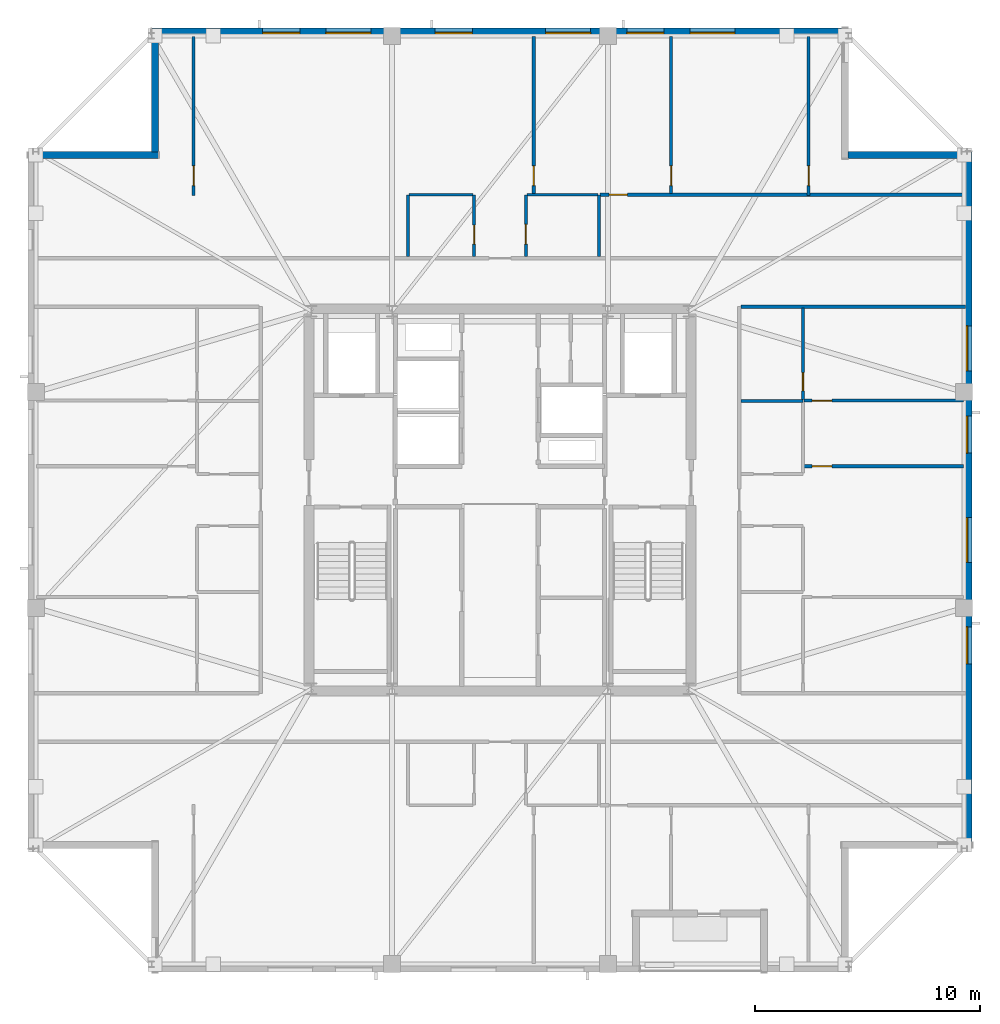
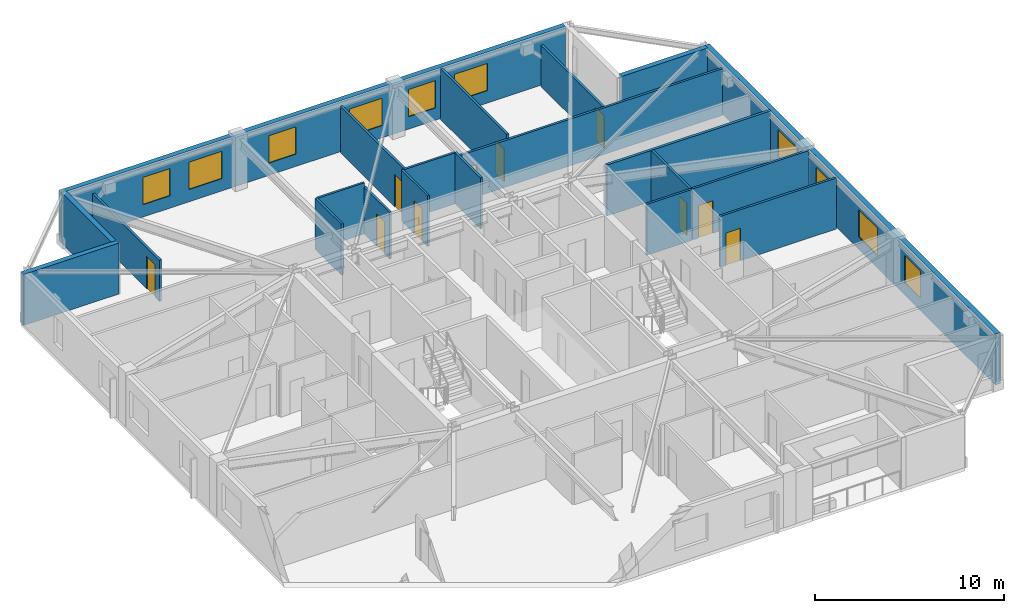
# One storey, part 10 of 15: 21 walls, 10 doors, 10 windows, 20 openings.
"""IFC4 building model written with IfcOpenShell, lengths in metres."""

from ifc_helpers import new_model, si_unit, direction, frame, frame_2d, origin, place, context, subcontext, project, spatial, rectangle, extrude, material, layer, layer_set, type_object, element, fill, save


model = new_model("IFC4")

# Units and contexts
model_context = context("Model", 3, precision=1e-05, world=origin(), true_north=direction((0.0, 1.0)))
body_context = subcontext(model_context, "Body", "Model", "MODEL_VIEW")
ifc_project = project(units=[si_unit("LENGTHUNIT", "METRE"), si_unit("AREAUNIT", "SQUARE_METRE"), si_unit("VOLUMEUNIT", "CUBIC_METRE"), si_unit("PLANEANGLEUNIT", "RADIAN"), si_unit("MASSUNIT", "GRAM", prefix="KILO")], contexts=[model_context])

# Site, building, storey
site_placement = place(None, origin())
site = spatial("IfcSite", under=ifc_project, at=site_placement, CompositionType="ELEMENT")
building_placement = place(site_placement, origin())
building = spatial("IfcBuilding", under=site, at=building_placement, Name="Cairnveth Concourse Tower", CompositionType="ELEMENT")
storey_placement = place(building_placement, frame((0.0, 0.0, 284.0)))
storey = spatial("IfcBuildingStorey", under=building, at=storey_placement, Name="L78", CompositionType="ELEMENT", Elevation=284.0)

# Wall
ifc_material_1 = material(Name="Gypsum Plasterboard Partition", Category="gypsum")
ifc_layer_1 = layer(ifc_material_1, 0.159912109375)
ifc_layer_set_1 = layer_set([ifc_layer_1], Name="Gypsum Plasterboard Partition")
wall_type_1 = type_object("IfcWallType", Name="ACOUSTIC PARTY WALL 180", PredefinedType="PARTITIONING", material=ifc_layer_set_1)
wall_1_placement = place(storey_placement, frame((62.715087890625, 47.60009765625, 0.0), z_axis=(0.0, 0.0, 1.0), x_axis=(1.0, 0.0, 0.0)))
element("IfcWall", 1, at=wall_1_placement, inside=storey, type_object=wall_type_1, Name="Interior Wall IW-L78-042", PredefinedType="PARTITIONING", context=body_context, shape_type="SweptSolid", body=[
    extrude(rectangle(XDim=10.0, YDim=0.159912109375, at=frame_2d((5.0, 0.0))), origin(), (0.0, 0.0, 1.0), 3.2900390625),
])

# Wall, opening, door
ifc_layer_2 = layer(ifc_material_1, 0.139892578125)
ifc_layer_set_2 = layer_set([ifc_layer_2], Name="Gypsum Plasterboard Partition")
wall_type_2 = type_object("IfcWallType", Name="GYPSUM STUD PARTITION 140", PredefinedType="PARTITIONING", material=ifc_layer_set_2)
wall_2_placement = place(storey_placement, frame((38.3701171875, 52.5400390625, 0.0), z_axis=(0.0, 0.0, 1.0), x_axis=(0.0, 1.0, 0.0)))
wall_2 = element("IfcWall", 2, at=wall_2_placement, inside=storey, type_object=wall_type_2, Name="Interior Wall IW-L78-060", PredefinedType="PARTITIONING", context=body_context, shape_type="SweptSolid", body=[
    extrude(rectangle(XDim=7.080078125, YDim=0.139892578125, at=frame_2d((3.5400390625, 0.0))), origin(), (0.0, 0.0, 1.0), 2.653076171875),
])
opening_1_placement = place(wall_2_placement, frame((0.449951171875, 0.0, 0.0)))
opening_1 = element("IfcOpeningElement", 3, at=opening_1_placement, cuts=wall_2, Name="Opening ID18", PredefinedType="OPENING", context=body_context, shape_type="SweptSolid", body=[
    extrude(rectangle(XDim=0.8798828125, YDim=2.10009765625, at=frame_2d((0.43994140625, 1.050048828125))), frame((0.0, 0.079833984375, 0.0), z_axis=(0.0, -1.0, 0.0), x_axis=(1.0, 0.0, 0.0)), (0.0, 0.0, 1.0), 0.159912109375),
])
ifc_material_2 = material(Name="Solid Core Hardwood Timber Leaf", Category="wood")
door_type_1 = type_object("IfcDoorType", Name="INTERIOR SINGLE DOOR 880X2100", OperationType="NOTDEFINED", PredefinedType="DOOR", material=ifc_material_2)
door_1_placement = place(opening_1_placement, origin())
door_1 = element("IfcDoor", 4, at=door_1_placement, inside=storey, type_object=door_type_1, Name="L78PN1 Master Bedroom Door", OperationType="SINGLE_SWING_LEFT", OverallHeight=2.10009765625, OverallWidth=0.8798828125, PredefinedType="DOOR", context=body_context, shape_type="SweptSolid", body=[
    extrude(rectangle(XDim=0.8798828125, YDim=2.10009765625, at=frame_2d((0.43994140625, 1.050048828125))), frame((0.0, 0.02490234375, 0.0), z_axis=(0.0, -1.0, 0.0), x_axis=(1.0, 0.0, 0.0)), (0.0, 0.0, 1.0), 0.050048828125),
])
fill(opening_1, door_1)

wall_3_placement = place(storey_placement, frame((65.72998046875, 52.5400390625, 0.0), z_axis=(0.0, 0.0, 1.0), x_axis=(0.0, 1.0, 0.0)))
wall_3 = element("IfcWall", 5, at=wall_3_placement, inside=storey, type_object=wall_type_2, Name="Interior Wall IW-L78-061", PredefinedType="PARTITIONING", context=body_context, shape_type="SweptSolid", body=[
    extrude(rectangle(XDim=7.080078125, YDim=0.139892578125, at=frame_2d((3.5400390625, 0.0))), origin(), (0.0, 0.0, 1.0), 2.653076171875),
])
opening_2_placement = place(wall_3_placement, frame((0.449951171875, 0.0, 0.0)))
opening_2 = element("IfcOpeningElement", 6, at=opening_2_placement, cuts=wall_3, Name="Opening ID18", PredefinedType="OPENING", context=body_context, shape_type="SweptSolid", body=[
    extrude(rectangle(XDim=0.8798828125, YDim=2.10009765625, at=frame_2d((0.43994140625, 1.050048828125))), frame((0.0, 0.079833984375, 0.0), z_axis=(0.0, -1.0, 0.0), x_axis=(1.0, 0.0, 0.0)), (0.0, 0.0, 1.0), 0.159912109375),
])
door_2_placement = place(opening_2_placement, origin())
door_2 = element("IfcDoor", 7, at=door_2_placement, inside=storey, type_object=door_type_1, Name="L78PN1 Bedroom 2 Door", OperationType="SINGLE_SWING_LEFT", OverallHeight=2.10009765625, OverallWidth=0.8798828125, PredefinedType="DOOR", context=body_context, shape_type="SweptSolid", body=[
    extrude(rectangle(XDim=0.8798828125, YDim=2.10009765625, at=frame_2d((0.43994140625, 1.050048828125))), frame((0.0, 0.02490234375, 0.0), z_axis=(0.0, -1.0, 0.0), x_axis=(1.0, 0.0, 0.0)), (0.0, 0.0, 1.0), 0.050048828125),
])
fill(opening_2, door_2)

wall_4_placement = place(storey_placement, frame((56.449951171875, 52.580078125, 0.0), z_axis=(0.0, 0.0, 1.0), x_axis=(1.0, 0.0, 0.0)))
wall_4 = element("IfcWall", 8, at=wall_4_placement, inside=storey, type_object=wall_type_2, Name="Interior Wall IW-L78-062", PredefinedType="PARTITIONING", context=body_context, shape_type="SweptSolid", body=[
    extrude(rectangle(XDim=16.179931640625, YDim=0.139892578125, at=frame_2d((8.08984375, 0.0))), origin(), (0.0, 0.0, 1.0), 3.009033203125),
])
opening_3_placement = place(wall_4_placement, frame((0.39990234375, 0.0, 0.0)))
opening_3 = element("IfcOpeningElement", 9, at=opening_3_placement, cuts=wall_4, Name="Opening ID22", PredefinedType="OPENING", context=body_context, shape_type="SweptSolid", body=[
    extrude(rectangle(XDim=0.820068359375, YDim=2.10009765625, at=frame_2d((0.41015625, 1.050048828125))), frame((0.0, 0.079833984375, 0.0), z_axis=(0.0, -1.0, 0.0), x_axis=(1.0, 0.0, 0.0)), (0.0, 0.0, 1.0), 0.159912109375),
])
door_type_2 = type_object("IfcDoorType", Name="INTERIOR WC DOOR 820X2100", OperationType="NOTDEFINED", PredefinedType="DOOR", material=ifc_material_2)
door_3_placement = place(opening_3_placement, origin())
door_3 = element("IfcDoor", 10, at=door_3_placement, inside=storey, type_object=door_type_2, Name="L78PN1 Utility Door", OperationType="SINGLE_SWING_RIGHT", OverallHeight=2.10009765625, OverallWidth=0.820068359375, PredefinedType="DOOR", context=body_context, shape_type="SweptSolid", body=[
    extrude(rectangle(XDim=0.820068359375, YDim=2.10009765625, at=frame_2d((0.41015625, 1.050048828125))), frame((0.0, 0.02490234375, 0.0), z_axis=(0.0, -1.0, 0.0), x_axis=(1.0, 0.0, 0.0)), (0.0, 0.0, 1.0), 0.050048828125),
])
fill(opening_3, door_3)

wall_5_placement = place(storey_placement, frame((53.5, 52.6298828125, 0.0), z_axis=(0.0, 0.0, 1.0), x_axis=(0.0, 1.0, 0.0)))
wall_5 = element("IfcWall", 11, at=wall_5_placement, inside=storey, type_object=wall_type_2, Name="Interior Wall IW-L78-063", PredefinedType="PARTITIONING", context=body_context, shape_type="SweptSolid", body=[
    extrude(rectangle(XDim=6.990234375, YDim=0.139892578125, at=frame_2d((3.4951171875, 0.0))), origin(), (0.0, 0.0, 1.0), 3.009033203125),
])
opening_4_placement = place(wall_5_placement, frame((0.360107421875, 0.0, 0.0)))
opening_4 = element("IfcOpeningElement", 12, at=opening_4_placement, cuts=wall_5, Name="Opening ID18", PredefinedType="OPENING", context=body_context, shape_type="SweptSolid", body=[
    extrude(rectangle(XDim=0.8798828125, YDim=2.10009765625, at=frame_2d((0.43994140625, 1.050048828125))), frame((0.0, 0.079833984375, 0.0), z_axis=(0.0, -1.0, 0.0), x_axis=(1.0, 0.0, 0.0)), (0.0, 0.0, 1.0), 0.159912109375),
])
door_4_placement = place(opening_4_placement, origin())
door_4 = element("IfcDoor", 13, at=door_4_placement, inside=storey, type_object=door_type_1, Name="L78PN1 Media Lounge Door", OperationType="SINGLE_SWING_RIGHT", OverallHeight=2.10009765625, OverallWidth=0.8798828125, PredefinedType="DOOR", context=body_context, shape_type="SweptSolid", body=[
    extrude(rectangle(XDim=0.8798828125, YDim=2.10009765625, at=frame_2d((0.43994140625, 1.050048828125))), frame((0.0, 0.02490234375, 0.0), z_axis=(0.0, -1.0, 0.0), x_axis=(1.0, 0.0, 0.0)), (0.0, 0.0, 1.0), 0.050048828125),
])
fill(opening_4, door_4)

wall_6_placement = place(storey_placement, frame((59.614990234375, 52.635009765625, 0.0), z_axis=(0.0, 0.0, 1.0), x_axis=(0.0, 1.0, 0.0)))
wall_6 = element("IfcWall", 14, at=wall_6_placement, inside=storey, type_object=wall_type_2, Name="Interior Wall IW-L78-064", PredefinedType="PARTITIONING", context=body_context, shape_type="SweptSolid", body=[
    extrude(rectangle(XDim=6.985107421875, YDim=0.139892578125, at=frame_2d((3.49267578125, 0.0))), origin(), (0.0, 0.0, 1.0), 3.2900390625),
])
opening_5_placement = place(wall_6_placement, frame((0.35498046875, 0.0, 0.0)))
opening_5 = element("IfcOpeningElement", 15, at=opening_5_placement, cuts=wall_6, Name="Opening ID18", PredefinedType="OPENING", context=body_context, shape_type="SweptSolid", body=[
    extrude(rectangle(XDim=0.8798828125, YDim=2.10009765625, at=frame_2d((0.43994140625, 1.050048828125))), frame((0.0, 0.079833984375, 0.0), z_axis=(0.0, -1.0, 0.0), x_axis=(1.0, 0.0, 0.0)), (0.0, 0.0, 1.0), 0.159912109375),
])
door_5_placement = place(opening_5_placement, origin())
door_5 = element("IfcDoor", 16, at=door_5_placement, inside=storey, type_object=door_type_1, Name="L78PN1 Library Salon Door", OperationType="SINGLE_SWING_LEFT", OverallHeight=2.10009765625, OverallWidth=0.8798828125, PredefinedType="DOOR", context=body_context, shape_type="SweptSolid", body=[
    extrude(rectangle(XDim=0.8798828125, YDim=2.10009765625, at=frame_2d((0.43994140625, 1.050048828125))), frame((0.0, 0.02490234375, 0.0), z_axis=(0.0, -1.0, 0.0), x_axis=(1.0, 0.0, 0.0)), (0.0, 0.0, 1.0), 0.050048828125),
])
fill(opening_5, door_5)

wall_7_placement = place(storey_placement, frame((65.530029296875, 43.419921875, 0.0), z_axis=(0.0, 0.0, 1.0), x_axis=(1.0, 0.0, 0.0)))
wall_7 = element("IfcWall", 17, at=wall_7_placement, inside=storey, type_object=wall_type_2, Name="Interior Wall IW-L78-084", PredefinedType="PARTITIONING", context=body_context, shape_type="SweptSolid", body=[
    extrude(rectangle(XDim=7.090087890625, YDim=0.139892578125, at=frame_2d((3.544921875, 0.0))), origin(), (0.0, 0.0, 1.0), 3.2900390625),
])
opening_6_placement = place(wall_7_placement, frame((0.360107421875, 0.0, 0.0)))
opening_6 = element("IfcOpeningElement", 18, at=opening_6_placement, cuts=wall_7, Name="Opening ID18", PredefinedType="OPENING", context=body_context, shape_type="SweptSolid", body=[
    extrude(rectangle(XDim=0.8798828125, YDim=2.10009765625, at=frame_2d((0.43994140625, 1.050048828125))), frame((0.0, 0.079833984375, 0.0), z_axis=(0.0, -1.0, 0.0), x_axis=(1.0, 0.0, 0.0)), (0.0, 0.0, 1.0), 0.159912109375),
])
door_6_placement = place(opening_6_placement, origin())
door_6 = element("IfcDoor", 19, at=door_6_placement, inside=storey, type_object=door_type_1, Name="L78PE1 Bedroom 2 Door", OperationType="SINGLE_SWING_RIGHT", OverallHeight=2.10009765625, OverallWidth=0.8798828125, PredefinedType="DOOR", context=body_context, shape_type="SweptSolid", body=[
    extrude(rectangle(XDim=0.8798828125, YDim=2.10009765625, at=frame_2d((0.43994140625, 1.050048828125))), frame((0.0, 0.02490234375, 0.0), z_axis=(0.0, -1.0, 0.0), x_axis=(1.0, 0.0, 0.0)), (0.0, 0.0, 1.0), 0.050048828125),
])
fill(opening_6, door_6)

wall_8_placement = place(storey_placement, frame((65.47998046875, 43.47509765625, 0.0), z_axis=(0.0, 0.0, 1.0), x_axis=(0.0, 1.0, 0.0)))
wall_8 = element("IfcWall", 20, at=wall_8_placement, inside=storey, type_object=wall_type_2, Name="Interior Wall IW-L78-085", PredefinedType="PARTITIONING", context=body_context, shape_type="SweptSolid", body=[
    extrude(rectangle(XDim=4.059814453125, YDim=0.139892578125, at=frame_2d((2.02978515625, 0.0))), origin(), (0.0, 0.0, 1.0), 3.2900390625),
])
opening_7_placement = place(wall_8_placement, frame((0.375, 0.0, 0.0)))
opening_7 = element("IfcOpeningElement", 21, at=opening_7_placement, cuts=wall_8, Name="Opening ID22", PredefinedType="OPENING", context=body_context, shape_type="SweptSolid", body=[
    extrude(rectangle(XDim=0.820068359375, YDim=2.10009765625, at=frame_2d((0.41015625, 1.050048828125))), frame((0.0, 0.079833984375, 0.0), z_axis=(0.0, -1.0, 0.0), x_axis=(1.0, 0.0, 0.0)), (0.0, 0.0, 1.0), 0.159912109375),
])
door_7_placement = place(opening_7_placement, origin())
door_7 = element("IfcDoor", 22, at=door_7_placement, inside=storey, type_object=door_type_2, Name="L78PE1 Utility Door", OperationType="SINGLE_SWING_LEFT", OverallHeight=2.10009765625, OverallWidth=0.820068359375, PredefinedType="DOOR", context=body_context, shape_type="SweptSolid", body=[
    extrude(rectangle(XDim=0.820068359375, YDim=2.10009765625, at=frame_2d((0.41015625, 1.050048828125))), frame((0.0, 0.02490234375, 0.0), z_axis=(0.0, -1.0, 0.0), x_axis=(1.0, 0.0, 0.0)), (0.0, 0.0, 1.0), 0.050048828125),
])
fill(opening_7, door_7)

wall_9_placement = place(storey_placement, frame((65.530029296875, 40.5, 0.0), z_axis=(0.0, 0.0, 1.0), x_axis=(1.0, 0.0, 0.0)))
wall_9 = element("IfcWall", 23, at=wall_9_placement, inside=storey, type_object=wall_type_2, Name="Interior Wall IW-L78-086", PredefinedType="PARTITIONING", context=body_context, shape_type="SweptSolid", body=[
    extrude(rectangle(XDim=7.090087890625, YDim=0.139892578125, at=frame_2d((3.544921875, 0.0))), origin(), (0.0, 0.0, 1.0), 3.2900390625),
])
opening_8_placement = place(wall_9_placement, frame((0.360107421875, 0.0, 0.0)))
opening_8 = element("IfcOpeningElement", 24, at=opening_8_placement, cuts=wall_9, Name="Opening ID18", PredefinedType="OPENING", context=body_context, shape_type="SweptSolid", body=[
    extrude(rectangle(XDim=0.8798828125, YDim=2.10009765625, at=frame_2d((0.43994140625, 1.050048828125))), frame((0.0, 0.079833984375, 0.0), z_axis=(0.0, -1.0, 0.0), x_axis=(1.0, 0.0, 0.0)), (0.0, 0.0, 1.0), 0.159912109375),
])
door_8_placement = place(opening_8_placement, origin())
door_8 = element("IfcDoor", 25, at=door_8_placement, inside=storey, type_object=door_type_1, Name="L78PE1 Media Lounge Door", OperationType="SINGLE_SWING_LEFT", OverallHeight=2.10009765625, OverallWidth=0.8798828125, PredefinedType="DOOR", context=body_context, shape_type="SweptSolid", body=[
    extrude(rectangle(XDim=0.8798828125, YDim=2.10009765625, at=frame_2d((0.43994140625, 1.050048828125))), frame((0.0, 0.02490234375, 0.0), z_axis=(0.0, -1.0, 0.0), x_axis=(1.0, 0.0, 0.0)), (0.0, 0.0, 1.0), 0.050048828125),
])
fill(opening_8, door_8)

# Wall
ifc_layer_3 = layer(ifc_material_1, 0.1298828125)
ifc_layer_set_3 = layer_set([ifc_layer_3], Name="Gypsum Plasterboard Partition")
wall_type_3 = type_object("IfcWallType", Name="WET AREA PARTITION 140", PredefinedType="PLUMBINGWALL", material=ifc_layer_set_3)
wall_10_placement = place(storey_placement, frame((47.89990234375, 49.830078125, 0.0), z_axis=(0.0, 0.0, 1.0), x_axis=(0.0, 1.0, 0.0)))
element("IfcWall", 26, at=wall_10_placement, inside=storey, type_object=wall_type_3, Name="Interior Wall IW-L78-054", PredefinedType="PLUMBINGWALL", context=body_context, shape_type="SweptSolid", body=[
    extrude(rectangle(XDim=2.75, YDim=0.1298828125, at=frame_2d((1.375, 0.0))), origin(), (0.0, 0.0, 1.0), 3.2900390625),
])

# Wall, opening, door
wall_11_placement = place(storey_placement, frame((50.85009765625, 49.830078125, 0.0), z_axis=(0.0, 0.0, 1.0), x_axis=(0.0, 1.0, 0.0)))
wall_11 = element("IfcWall", 27, at=wall_11_placement, inside=storey, type_object=wall_type_3, Name="Interior Wall IW-L78-055", PredefinedType="PLUMBINGWALL", context=body_context, shape_type="SweptSolid", body=[
    extrude(rectangle(XDim=2.75, YDim=0.1298828125, at=frame_2d((1.375, 0.0))), origin(), (0.0, 0.0, 1.0), 3.009033203125),
])
opening_9_placement = place(wall_11_placement, frame((0.550048828125, 0.0, 0.0)))
opening_9 = element("IfcOpeningElement", 28, at=opening_9_placement, cuts=wall_11, Name="Opening ID21", PredefinedType="OPENING", context=body_context, shape_type="SweptSolid", body=[
    extrude(rectangle(XDim=0.85009765625, YDim=2.080078125, at=frame_2d((0.425048828125, 1.0400390625))), frame((0.0, 0.074951171875, 0.0), z_axis=(0.0, -1.0, 0.0), x_axis=(1.0, 0.0, 0.0)), (0.0, 0.0, 1.0), 0.14990234375),
])
door_type_3 = type_object("IfcDoorType", Name="INTERIOR WC DOOR 850X2100", OperationType="NOTDEFINED", PredefinedType="DOOR", material=ifc_material_2)
door_9_placement = place(opening_9_placement, origin())
door_9 = element("IfcDoor", 29, at=door_9_placement, inside=storey, type_object=door_type_3, Name="L78PN1 Bathroom Door", OperationType="SINGLE_SWING_LEFT", OverallHeight=2.080078125, OverallWidth=0.85009765625, PredefinedType="DOOR", context=body_context, shape_type="SweptSolid", body=[
    extrude(rectangle(XDim=0.85009765625, YDim=2.080078125, at=frame_2d((0.425048828125, 1.0400390625))), frame((0.0, 0.02490234375, 0.0), z_axis=(0.0, -1.0, 0.0), x_axis=(1.0, 0.0, 0.0)), (0.0, 0.0, 1.0), 0.050048828125),
])
fill(opening_9, door_9)

# Walls
wall_12_placement = place(storey_placement, frame((47.949951171875, 52.580078125, 0.0), z_axis=(0.0, 0.0, 1.0), x_axis=(1.0, 0.0, 0.0)))
element("IfcWall", 30, at=wall_12_placement, inside=storey, type_object=wall_type_3, Name="Interior Wall IW-L78-056", PredefinedType="PLUMBINGWALL", context=body_context, shape_type="SweptSolid", body=[
    extrude(rectangle(XDim=2.85009765625, YDim=0.1298828125, at=frame_2d((1.425048828125, 0.0))), origin(), (0.0, 0.0, 1.0), 3.2900390625),
])
wall_13_placement = place(storey_placement, frame((56.39990234375, 49.830078125, 0.0), z_axis=(0.0, 0.0, 1.0), x_axis=(0.0, 1.0, 0.0)))
element("IfcWall", 31, at=wall_13_placement, inside=storey, type_object=wall_type_3, Name="Interior Wall IW-L78-057", PredefinedType="PLUMBINGWALL", context=body_context, shape_type="SweptSolid", body=[
    extrude(rectangle(XDim=2.75, YDim=0.1298828125, at=frame_2d((1.375, 0.0))), origin(), (0.0, 0.0, 1.0), 3.2900390625),
])

# Wall, opening, door
wall_14_placement = place(storey_placement, frame((53.14990234375, 49.830078125, 0.0), z_axis=(0.0, 0.0, 1.0), x_axis=(0.0, 1.0, 0.0)))
wall_14 = element("IfcWall", 32, at=wall_14_placement, inside=storey, type_object=wall_type_3, Name="Interior Wall IW-L78-058", PredefinedType="PLUMBINGWALL", context=body_context, shape_type="SweptSolid", body=[
    extrude(rectangle(XDim=2.75, YDim=0.1298828125, at=frame_2d((1.375, 0.0))), origin(), (0.0, 0.0, 1.0), 3.2900390625),
])
opening_10_placement = place(wall_14_placement, frame((0.550048828125, 0.0, 0.0)))
opening_10 = element("IfcOpeningElement", 33, at=opening_10_placement, cuts=wall_14, Name="Opening ID18", PredefinedType="OPENING", context=body_context, shape_type="SweptSolid", body=[
    extrude(rectangle(XDim=0.8798828125, YDim=2.10009765625, at=frame_2d((0.43994140625, 1.050048828125))), frame((0.0, 0.074951171875, 0.0), z_axis=(0.0, -1.0, 0.0), x_axis=(1.0, 0.0, 0.0)), (0.0, 0.0, 1.0), 0.14990234375),
])
door_10_placement = place(opening_10_placement, origin())
door_10 = element("IfcDoor", 34, at=door_10_placement, inside=storey, type_object=door_type_1, Name="L78PN1 Kitchen Door", OperationType="SINGLE_SWING_RIGHT", OverallHeight=2.10009765625, OverallWidth=0.8798828125, PredefinedType="DOOR", context=body_context, shape_type="SweptSolid", body=[
    extrude(rectangle(XDim=0.8798828125, YDim=2.10009765625, at=frame_2d((0.43994140625, 1.050048828125))), frame((0.0, 0.02490234375, 0.0), z_axis=(0.0, -1.0, 0.0), x_axis=(1.0, 0.0, 0.0)), (0.0, 0.0, 1.0), 0.050048828125),
])
fill(opening_10, door_10)

# Walls
wall_15_placement = place(storey_placement, frame((53.199951171875, 52.580078125, 0.0), z_axis=(0.0, 0.0, 1.0), x_axis=(1.0, 0.0, 0.0)))
element("IfcWall", 35, at=wall_15_placement, inside=storey, type_object=wall_type_3, Name="Interior Wall IW-L78-059", PredefinedType="PLUMBINGWALL", context=body_context, shape_type="SweptSolid", body=[
    extrude(rectangle(XDim=3.150146484375, YDim=0.1298828125, at=frame_2d((1.5751953125, 0.0))), origin(), (0.0, 0.0, 1.0), 3.2900390625),
])
wall_16_placement = place(storey_placement, frame((62.72998046875, 43.39990234375, 0.0), z_axis=(0.0, 0.0, 1.0), x_axis=(1.0, 0.0, 0.0)))
element("IfcWall", 36, at=wall_16_placement, inside=storey, type_object=wall_type_3, Name="Interior Wall IW-L78-079", PredefinedType="PLUMBINGWALL", context=body_context, shape_type="SweptSolid", body=[
    extrude(rectangle(XDim=2.75, YDim=0.1298828125, at=frame_2d((1.375, 0.0))), origin(), (0.0, 0.0, 1.0), 3.2900390625),
])
ifc_material_3 = material(Name="Hawthorn Red-Ochre Fired Clay Brick Masonry", Category="masonry")
ifc_layer_4 = layer(ifc_material_3, 0.300048828125)
ifc_layer_set_4 = layer_set([ifc_layer_4], Name="Hawthorn Red-Ochre Fired Clay Brick Masonry")
wall_type_4 = type_object("IfcWallType", Name="ZONE 4 BRICK PIER SPANDREL WALL 300", PredefinedType="SOLIDWALL", material=ifc_layer_set_4)
wall_17_placement = place(storey_placement, frame((31.0, 54.35009765625, 0.0), z_axis=(0.0, 0.0, 1.0), x_axis=(1.0, 0.0, 0.0)))
element("IfcWall", 37, at=wall_17_placement, inside=storey, type_object=wall_type_4, Name="Exterior Wall EW-L78-S04", PredefinedType="SOLIDWALL", context=body_context, shape_type="SweptSolid", body=[
    extrude(rectangle(XDim=5.800048828125, YDim=0.300048828125, at=frame_2d((2.89990234375, 0.0))), origin(), (0.0, 0.0, 1.0), 3.2900390625),
])
wall_18_placement = place(storey_placement, frame((36.64990234375, 54.47802734375, 0.0), z_axis=(0.0, 0.0, 1.0), x_axis=(0.0, 1.0, 0.0)))
element("IfcWall", 38, at=wall_18_placement, inside=storey, type_object=wall_type_4, Name="Exterior Wall EW-L78-S05", PredefinedType="SOLIDWALL", context=body_context, shape_type="SweptSolid", body=[
    extrude(rectangle(XDim=5.243896484375, YDim=0.300048828125, at=frame_2d((2.6220703125, 0.0))), origin(), (0.0, 0.0, 1.0), 3.2900390625),
])

# Wall, openings, windows
wall_19_placement = place(storey_placement, frame((36.5, 59.85009765625, 0.0), z_axis=(0.0, 0.0, 1.0), x_axis=(1.0, 0.0, 0.0)))
wall_19 = element("IfcWall", 39, at=wall_19_placement, inside=storey, type_object=wall_type_4, Name="Exterior Wall EW-L78-S06", PredefinedType="SOLIDWALL", context=body_context, shape_type="SweptSolid", body=[
    extrude(rectangle(XDim=30.721923828125, YDim=0.300048828125, at=frame_2d((15.36083984375, 0.0))), origin(), (0.0, 0.0, 1.0), 3.2900390625),
])
opening_11_placement = place(wall_19_placement, frame((4.943603515625, 0.0, 0.800048828125)))
opening_11 = element("IfcOpeningElement", 40, at=opening_11_placement, cuts=wall_19, Name="Opening W04", PredefinedType="OPENING", context=body_context, shape_type="SweptSolid", body=[
    extrude(rectangle(XDim=1.64990234375, YDim=1.758056640625, at=frame_2d((0.824951171875, 0.87890625))), frame((0.0, 0.159912109375, 0.0), z_axis=(0.0, -1.0, 0.0), x_axis=(1.0, 0.0, 0.0)), (0.0, 0.0, 1.0), 0.320068359375),
])
opening_12_placement = place(wall_19_placement, frame((7.755615234375, 0.0, 0.800048828125)))
opening_12 = element("IfcOpeningElement", 41, at=opening_12_placement, cuts=wall_19, Name="Opening W09", PredefinedType="OPENING", context=body_context, shape_type="SweptSolid", body=[
    extrude(rectangle(XDim=2.0, YDim=1.758056640625, at=frame_2d((1.0, 0.87890625))), frame((0.0, 0.159912109375, 0.0), z_axis=(0.0, -1.0, 0.0), x_axis=(1.0, 0.0, 0.0)), (0.0, 0.0, 1.0), 0.320068359375),
])
opening_13_placement = place(wall_19_placement, frame((12.617431640625, 0.0, 0.800048828125)))
opening_13 = element("IfcOpeningElement", 42, at=opening_13_placement, cuts=wall_19, Name="Opening W04", PredefinedType="OPENING", context=body_context, shape_type="SweptSolid", body=[
    extrude(rectangle(XDim=1.64990234375, YDim=1.758056640625, at=frame_2d((0.824951171875, 0.87890625))), frame((0.0, 0.159912109375, 0.0), z_axis=(0.0, -1.0, 0.0), x_axis=(1.0, 0.0, 0.0)), (0.0, 0.0, 1.0), 0.320068359375),
])
opening_14_placement = place(wall_19_placement, frame((17.529541015625, 0.0, 0.800048828125)))
opening_14 = element("IfcOpeningElement", 43, at=opening_14_placement, cuts=wall_19, Name="Opening W09", PredefinedType="OPENING", context=body_context, shape_type="SweptSolid", body=[
    extrude(rectangle(XDim=2.0, YDim=1.758056640625, at=frame_2d((1.0, 0.87890625))), frame((0.0, 0.159912109375, 0.0), z_axis=(0.0, -1.0, 0.0), x_axis=(1.0, 0.0, 0.0)), (0.0, 0.0, 1.0), 0.320068359375),
])
opening_15_placement = place(wall_19_placement, frame((21.1416015625, 0.0, 0.800048828125)))
opening_15 = element("IfcOpeningElement", 44, at=opening_15_placement, cuts=wall_19, Name="Opening W04", PredefinedType="OPENING", context=body_context, shape_type="SweptSolid", body=[
    extrude(rectangle(XDim=1.64990234375, YDim=1.758056640625, at=frame_2d((0.824951171875, 0.87890625))), frame((0.0, 0.159912109375, 0.0), z_axis=(0.0, -1.0, 0.0), x_axis=(1.0, 0.0, 0.0)), (0.0, 0.0, 1.0), 0.320068359375),
])
opening_16_placement = place(wall_19_placement, frame((23.95361328125, 0.0, 0.800048828125)))
opening_16 = element("IfcOpeningElement", 45, at=opening_16_placement, cuts=wall_19, Name="Opening W09", PredefinedType="OPENING", context=body_context, shape_type="SweptSolid", body=[
    extrude(rectangle(XDim=2.0, YDim=1.758056640625, at=frame_2d((1.0, 0.87890625))), frame((0.0, 0.159912109375, 0.0), z_axis=(0.0, -1.0, 0.0), x_axis=(1.0, 0.0, 0.0)), (0.0, 0.0, 1.0), 0.320068359375),
])
ifc_material_4 = material(Name="Double Glazed Low-E Clear Glass", Category="glass")
window_type_1 = type_object("IfcWindowType", Name="DEEP-SET GOTHIC LANCET WINDOW 1650X1850", PartitioningType="DOUBLE_PANEL_VERTICAL", PredefinedType="WINDOW", material=ifc_material_4)
window_1_placement = place(opening_11_placement, origin())
window_1 = element("IfcWindow", 46, at=window_1_placement, inside=storey, type_object=window_type_1, Name="Gothic Lancet Window L78-6-1", OverallHeight=1.758056640625, OverallWidth=1.64990234375, PartitioningType="SINGLE_PANEL", PredefinedType="WINDOW", context=body_context, shape_type="SweptSolid", body=[
    extrude(rectangle(XDim=1.64990234375, YDim=1.758056640625, at=frame_2d((0.824951171875, 0.87890625))), frame((0.0, -0.050048828125, 0.0), z_axis=(0.0, -1.0, 0.0), x_axis=(1.0, 0.0, 0.0)), (0.0, 0.0, 1.0), 0.06005859375),
])
fill(opening_11, window_1)
window_2_placement = place(opening_13_placement, origin())
window_2 = element("IfcWindow", 47, at=window_2_placement, inside=storey, type_object=window_type_1, Name="Gothic Lancet Window L78-6-3", OverallHeight=1.758056640625, OverallWidth=1.64990234375, PartitioningType="SINGLE_PANEL", PredefinedType="WINDOW", context=body_context, shape_type="SweptSolid", body=[
    extrude(rectangle(XDim=1.64990234375, YDim=1.758056640625, at=frame_2d((0.824951171875, 0.87890625))), frame((0.0, -0.050048828125, 0.0), z_axis=(0.0, -1.0, 0.0), x_axis=(1.0, 0.0, 0.0)), (0.0, 0.0, 1.0), 0.06005859375),
])
fill(opening_13, window_2)
window_3_placement = place(opening_15_placement, origin())
window_3 = element("IfcWindow", 48, at=window_3_placement, inside=storey, type_object=window_type_1, Name="Gothic Lancet Window L78-6-5", OverallHeight=1.758056640625, OverallWidth=1.64990234375, PartitioningType="SINGLE_PANEL", PredefinedType="WINDOW", context=body_context, shape_type="SweptSolid", body=[
    extrude(rectangle(XDim=1.64990234375, YDim=1.758056640625, at=frame_2d((0.824951171875, 0.87890625))), frame((0.0, -0.050048828125, 0.0), z_axis=(0.0, -1.0, 0.0), x_axis=(1.0, 0.0, 0.0)), (0.0, 0.0, 1.0), 0.06005859375),
])
fill(opening_15, window_3)
window_type_2 = type_object("IfcWindowType", Name="DEEP-SET PENTHOUSE LANCET WINDOW 2000X1850", PartitioningType="DOUBLE_PANEL_VERTICAL", PredefinedType="WINDOW", material=ifc_material_4)
window_4_placement = place(opening_12_placement, origin())
window_4 = element("IfcWindow", 49, at=window_4_placement, inside=storey, type_object=window_type_2, Name="Gothic Lancet Window L78-6-2", OverallHeight=1.758056640625, OverallWidth=2.0, PartitioningType="SINGLE_PANEL", PredefinedType="WINDOW", context=body_context, shape_type="SweptSolid", body=[
    extrude(rectangle(XDim=2.0, YDim=1.758056640625, at=frame_2d((1.0, 0.87890625))), frame((0.0, -0.050048828125, 0.0), z_axis=(0.0, -1.0, 0.0), x_axis=(1.0, 0.0, 0.0)), (0.0, 0.0, 1.0), 0.06005859375),
])
fill(opening_12, window_4)
window_5_placement = place(opening_14_placement, origin())
window_5 = element("IfcWindow", 50, at=window_5_placement, inside=storey, type_object=window_type_2, Name="Gothic Lancet Window L78-6-4", OverallHeight=1.758056640625, OverallWidth=2.0, PartitioningType="SINGLE_PANEL", PredefinedType="WINDOW", context=body_context, shape_type="SweptSolid", body=[
    extrude(rectangle(XDim=2.0, YDim=1.758056640625, at=frame_2d((1.0, 0.87890625))), frame((0.0, -0.050048828125, 0.0), z_axis=(0.0, -1.0, 0.0), x_axis=(1.0, 0.0, 0.0)), (0.0, 0.0, 1.0), 0.06005859375),
])
fill(opening_14, window_5)
window_6_placement = place(opening_16_placement, origin())
window_6 = element("IfcWindow", 51, at=window_6_placement, inside=storey, type_object=window_type_2, Name="Gothic Lancet Window L78-6-6", OverallHeight=1.758056640625, OverallWidth=2.0, PartitioningType="SINGLE_PANEL", PredefinedType="WINDOW", context=body_context, shape_type="SweptSolid", body=[
    extrude(rectangle(XDim=2.0, YDim=1.758056640625, at=frame_2d((1.0, 0.87890625))), frame((0.0, -0.050048828125, 0.0), z_axis=(0.0, -1.0, 0.0), x_axis=(1.0, 0.0, 0.0)), (0.0, 0.0, 1.0), 0.06005859375),
])
fill(opening_16, window_6)

# Wall
wall_20_placement = place(storey_placement, frame((67.47802734375, 54.35009765625, 0.0), z_axis=(0.0, 0.0, 1.0), x_axis=(1.0, 0.0, 0.0)))
element("IfcWall", 52, at=wall_20_placement, inside=storey, type_object=wall_type_4, Name="Exterior Wall EW-L78-S08", PredefinedType="SOLIDWALL", context=body_context, shape_type="SweptSolid", body=[
    extrude(rectangle(XDim=5.243896484375, YDim=0.300048828125, at=frame_2d((2.6220703125, 0.0))), origin(), (0.0, 0.0, 1.0), 3.2900390625),
])

# Wall, openings, windows
wall_21_placement = place(storey_placement, frame((72.85009765625, 54.5, 0.0), z_axis=(0.0, 0.0, 1.0), x_axis=(0.0, -1.0, 0.0)))
wall_21 = element("IfcWall", 53, at=wall_21_placement, inside=storey, type_object=wall_type_4, Name="Exterior Wall EW-L78-S09", PredefinedType="SOLIDWALL", context=body_context, shape_type="SweptSolid", body=[
    extrude(rectangle(XDim=30.721923828125, YDim=0.300048828125, at=frame_2d((15.36083984375, 0.0))), origin(), (0.0, 0.0, 1.0), 3.2900390625),
])
opening_17_placement = place(wall_21_placement, frame((7.755615234375, 0.0, 0.800048828125)))
opening_17 = element("IfcOpeningElement", 54, at=opening_17_placement, cuts=wall_21, Name="Opening W09", PredefinedType="OPENING", context=body_context, shape_type="SweptSolid", body=[
    extrude(rectangle(XDim=2.0, YDim=1.758056640625, at=frame_2d((1.0, 0.87890625))), frame((0.0, 0.159912109375, 0.0), z_axis=(0.0, -1.0, 0.0), x_axis=(1.0, 0.0, 0.0)), (0.0, 0.0, 1.0), 0.320068359375),
])
opening_18_placement = place(wall_21_placement, frame((11.767578125, 0.0, 0.800048828125)))
opening_18 = element("IfcOpeningElement", 55, at=opening_18_placement, cuts=wall_21, Name="Opening W04", PredefinedType="OPENING", context=body_context, shape_type="SweptSolid", body=[
    extrude(rectangle(XDim=1.64990234375, YDim=1.758056640625, at=frame_2d((0.824951171875, 0.87890625))), frame((0.0, 0.159912109375, 0.0), z_axis=(0.0, -1.0, 0.0), x_axis=(1.0, 0.0, 0.0)), (0.0, 0.0, 1.0), 0.320068359375),
])
opening_19_placement = place(wall_21_placement, frame((16.279541015625, 0.0, 0.800048828125)))
opening_19 = element("IfcOpeningElement", 56, at=opening_19_placement, cuts=wall_21, Name="Opening W09", PredefinedType="OPENING", context=body_context, shape_type="SweptSolid", body=[
    extrude(rectangle(XDim=2.0, YDim=1.758056640625, at=frame_2d((1.0, 0.87890625))), frame((0.0, 0.159912109375, 0.0), z_axis=(0.0, -1.0, 0.0), x_axis=(1.0, 0.0, 0.0)), (0.0, 0.0, 1.0), 0.320068359375),
])
opening_20_placement = place(wall_21_placement, frame((21.1416015625, 0.0, 0.800048828125)))
opening_20 = element("IfcOpeningElement", 57, at=opening_20_placement, cuts=wall_21, Name="Opening W04", PredefinedType="OPENING", context=body_context, shape_type="SweptSolid", body=[
    extrude(rectangle(XDim=1.64990234375, YDim=1.758056640625, at=frame_2d((0.824951171875, 0.87890625))), frame((0.0, 0.159912109375, 0.0), z_axis=(0.0, -1.0, 0.0), x_axis=(1.0, 0.0, 0.0)), (0.0, 0.0, 1.0), 0.320068359375),
])
window_7_placement = place(opening_18_placement, origin())
window_7 = element("IfcWindow", 58, at=window_7_placement, inside=storey, type_object=window_type_1, Name="Gothic Lancet Window L78-9-3", OverallHeight=1.758056640625, OverallWidth=1.64990234375, PartitioningType="SINGLE_PANEL", PredefinedType="WINDOW", context=body_context, shape_type="SweptSolid", body=[
    extrude(rectangle(XDim=1.64990234375, YDim=1.758056640625, at=frame_2d((0.824951171875, 0.87890625))), frame((0.0, -0.050048828125, 0.0), z_axis=(0.0, -1.0, 0.0), x_axis=(1.0, 0.0, 0.0)), (0.0, 0.0, 1.0), 0.06005859375),
])
fill(opening_18, window_7)
window_8_placement = place(opening_20_placement, origin())
window_8 = element("IfcWindow", 59, at=window_8_placement, inside=storey, type_object=window_type_1, Name="Gothic Lancet Window L78-9-5", OverallHeight=1.758056640625, OverallWidth=1.64990234375, PartitioningType="SINGLE_PANEL", PredefinedType="WINDOW", context=body_context, shape_type="SweptSolid", body=[
    extrude(rectangle(XDim=1.64990234375, YDim=1.758056640625, at=frame_2d((0.824951171875, 0.87890625))), frame((0.0, -0.050048828125, 0.0), z_axis=(0.0, -1.0, 0.0), x_axis=(1.0, 0.0, 0.0)), (0.0, 0.0, 1.0), 0.06005859375),
])
fill(opening_20, window_8)
window_9_placement = place(opening_17_placement, origin())
window_9 = element("IfcWindow", 60, at=window_9_placement, inside=storey, type_object=window_type_2, Name="Gothic Lancet Window L78-9-2", OverallHeight=1.758056640625, OverallWidth=2.0, PartitioningType="SINGLE_PANEL", PredefinedType="WINDOW", context=body_context, shape_type="SweptSolid", body=[
    extrude(rectangle(XDim=2.0, YDim=1.758056640625, at=frame_2d((1.0, 0.87890625))), frame((0.0, -0.050048828125, 0.0), z_axis=(0.0, -1.0, 0.0), x_axis=(1.0, 0.0, 0.0)), (0.0, 0.0, 1.0), 0.06005859375),
])
fill(opening_17, window_9)
window_10_placement = place(opening_19_placement, origin())
window_10 = element("IfcWindow", 61, at=window_10_placement, inside=storey, type_object=window_type_2, Name="Gothic Lancet Window L78-9-4", OverallHeight=1.758056640625, OverallWidth=2.0, PartitioningType="SINGLE_PANEL", PredefinedType="WINDOW", context=body_context, shape_type="SweptSolid", body=[
    extrude(rectangle(XDim=2.0, YDim=1.758056640625, at=frame_2d((1.0, 0.87890625))), frame((0.0, -0.050048828125, 0.0), z_axis=(0.0, -1.0, 0.0), x_axis=(1.0, 0.0, 0.0)), (0.0, 0.0, 1.0), 0.06005859375),
])
fill(opening_19, window_10)

save(model, "model.ifc")
